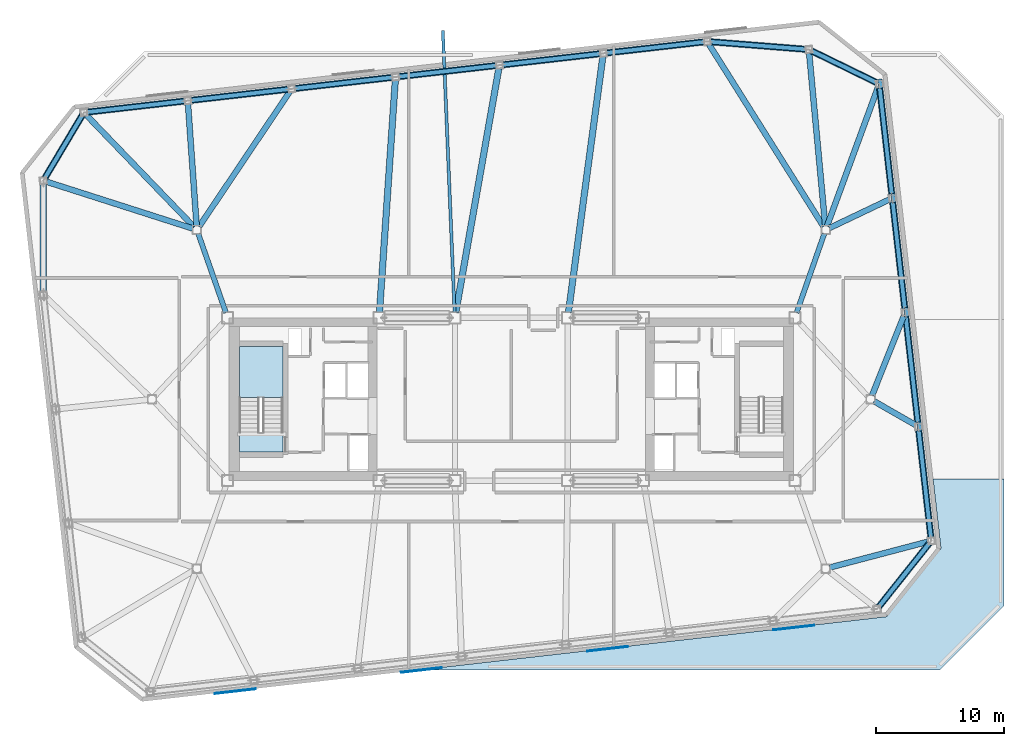
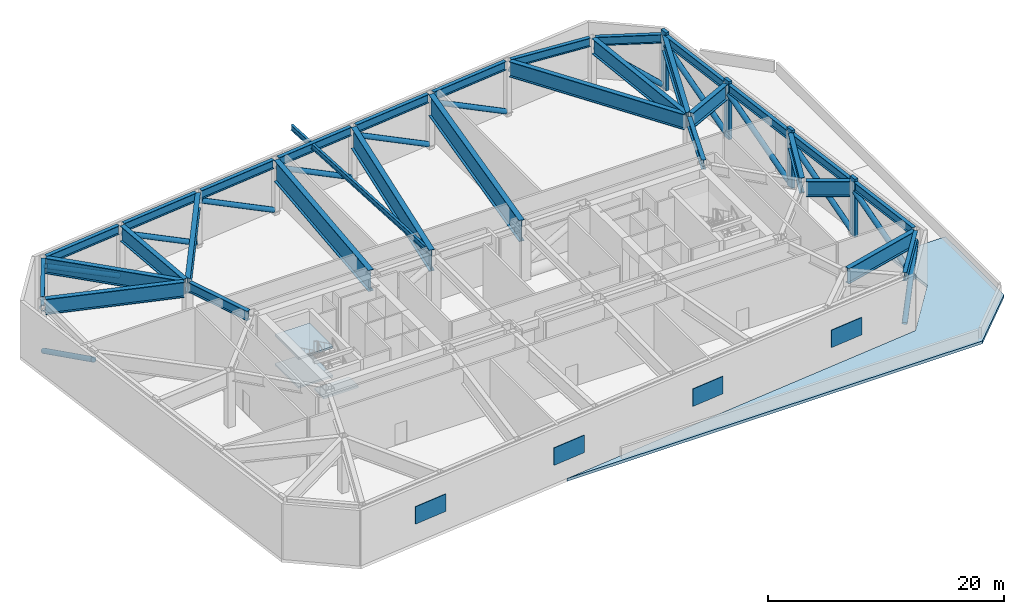
# One storey, part 4 of 13: 31 beams, 19 members, 4 plates, 4 slabs, 1 element without a shape of its own.
"""IFC4 building model written with IfcOpenShell, lengths in metres."""

from ifc_helpers import new_model, si_unit, direction, frame, origin, origin_2d, place, context, subcontext, project, spatial, polyline, rectangle, hollow_circle, i_section, outline, extrude, material, layer, layer_set, material_profile, profile_set, type_object, element, aggregate, save


model = new_model("IFC4")

# Units and contexts
model_context = context("Model", 3, precision=1e-05, world=origin(), true_north=direction((0.0, 1.0)))
body_context = subcontext(model_context, "Body", "Model", "MODEL_VIEW")
ifc_project = project(units=[si_unit("LENGTHUNIT", "METRE"), si_unit("AREAUNIT", "SQUARE_METRE"), si_unit("VOLUMEUNIT", "CUBIC_METRE"), si_unit("PLANEANGLEUNIT", "RADIAN"), si_unit("MASSUNIT", "GRAM", prefix="KILO")], contexts=[model_context])

# Site, building, storey
site_placement = place(None, origin())
site = spatial("IfcSite", under=ifc_project, at=site_placement, CompositionType="ELEMENT")
building_placement = place(site_placement, origin())
building = spatial("IfcBuilding", under=site, at=building_placement, Name="Tavrogorsk Clinical Tower", CompositionType="ELEMENT")
storey_placement = place(building_placement, frame((0.0, 0.0, 208.199951171875)))
storey = spatial("IfcBuildingStorey", under=building, at=storey_placement, Name="L48", CompositionType="ELEMENT", Elevation=208.199951171875)

# Members
ifc_material_1 = material(Name="Structural steel S440", Category="steel")
ifc_material_profile_1 = material_profile(ifc_material_1, hollow_circle(Radius=0.25390625, WallThickness=0.02001953125, at=origin_2d()), Name="CHS-508x20")
ifc_profile_set_1 = profile_set([ifc_material_profile_1], Name="Structural steel S440")
member_type_1 = type_object("IfcMemberType", Name="ExoBrace_CHS508", PredefinedType="BRACE", material=ifc_profile_set_1)
member_1_placement = place(storey_placement, frame((28.64306640625, -16.176513671875, 0.4912109375), z_axis=(0.520971346372, 0.654942753806, 0.547392770775), x_axis=(-0.782604456341, 0.62251928879, 0.0)))
element("IfcMember", 1, at=member_1_placement, inside=storey, type_object=member_type_1, Name="L48 Exoskeleton Belt Diagonal S8-E1", PredefinedType="BRACE", context=body_context, shape_type="SweptSolid", body=[
    extrude(hollow_circle(Radius=0.25390625, WallThickness=0.02001953125, at=origin_2d()), origin(), (0.0, 0.0, 1.0), 7.595458984375),
])
for number, where, z_axis, x_axis, name in (
    (2, (32.708251953125, -10.80322265625, 0.464599609375), (-0.10142650463, 0.890262134419, 0.444011256816), (-0.993572615499, -0.113196544692, 0.0), "L48 Exoskeleton Belt Diagonal E1-E2"),
    (3, (31.69384765625, -1.90087890625, 0.464599609375), (-0.10142650463, 0.890262134419, 0.444011256816), (-0.993572615499, -0.113196544692, 0.0), "L48 Exoskeleton Belt Diagonal E2-E3"),
):
    element("IfcMember", number, at=place(storey_placement, frame(where, z_axis=z_axis, x_axis=x_axis)), inside=storey, type_object=member_type_1, Name=name, PredefinedType="BRACE", context=body_context, shape_type="SweptSolid", body=[
        extrude(hollow_circle(Radius=0.25390625, WallThickness=0.02001953125, at=origin_2d()), origin(), (0.0, 0.0, 1.0), 9.48388671875),
    ])
for number, where, z_axis, x_axis, name in (
    (4, (30.6796875, 7.001708984375, 0.464599609375), (-0.10142882915, 0.890256794327, 0.444021432784), (-0.993572247352, -0.113199776027, 0.0), "L48 Exoskeleton Belt Diagonal E3-E4"),
    (5, (29.665283203125, 15.904052734375, 0.464599609375), (-0.10142882915, 0.890256794327, 0.444021432784), (-0.993572247352, -0.113199776027, 0.0), "L48 Exoskeleton Belt Diagonal E4-E5"),
):
    element("IfcMember", number, at=place(storey_placement, frame(where, z_axis=z_axis, x_axis=x_axis)), inside=storey, type_object=member_type_1, Name=name, PredefinedType="BRACE", context=body_context, shape_type="SweptSolid", body=[
        extrude(hollow_circle(Radius=0.25390625, WallThickness=0.02001953125, at=origin_2d()), origin(), (0.0, 0.0, 1.0), 9.483642578125),
    ])
member_2_placement = place(storey_placement, frame((28.48974609375, 24.668212890625, 0.501708984375), z_axis=(-0.726992637797, 0.354490036877, 0.588063362526), x_axis=(-0.438283287501, -0.898836892822, 0.0)))
element("IfcMember", 6, at=member_2_placement, inside=storey, type_object=member_type_1, Name="L48 Exoskeleton Belt Diagonal E5-N1", PredefinedType="BRACE", context=body_context, shape_type="SweptSolid", body=[
    extrude(hollow_circle(Radius=0.25390625, WallThickness=0.02001953125, at=origin_2d()), origin(), (0.0, 0.0, 1.0), 7.034423828125),
])
member_3_placement = place(storey_placement, frame((22.963623046875, 27.271240234375, 0.475830078125), z_axis=(-0.87020522221, 0.06884858964, 0.487855247941), x_axis=(-0.078871181048, -0.996884816215, 0.0)))
element("IfcMember", 7, at=member_3_placement, inside=storey, type_object=member_type_1, Name="L48 Exoskeleton Belt Diagonal N1-N2", PredefinedType="BRACE", context=body_context, shape_type="SweptSolid", body=[
    extrude(hollow_circle(Radius=0.25390625, WallThickness=0.02001953125, at=origin_2d()), origin(), (0.0, 0.0, 1.0), 8.5849609375),
])
for number, where, z_axis, x_axis, name in (
    (8, (15.04345703125, 27.8544921875, 0.473388671875), (-0.872460601044, -0.099425630153, 0.478463210388), (0.113227160554, -0.993569126993, 0.0), "L48 Exoskeleton Belt Diagonal N2-N3"),
    (9, (6.947265625, 26.931884765625, 0.473388671875), (-0.872463017267, -0.099398047308, 0.478464535461), (0.113195841937, -0.993572695563, 0.0), "L48 Exoskeleton Belt Diagonal N3-N4"),
    (10, (-1.14892578125, 26.009521484375, 0.473388671875), (-0.872463017267, -0.099398047308, 0.478464535461), (0.113195841937, -0.993572695563, 0.0), "L48 Exoskeleton Belt Diagonal N4-N5"),
    (11, (-9.2451171875, 25.087158203125, 0.473388671875), (-0.872463017267, -0.099398047308, 0.478464535461), (0.113195841937, -0.993572695563, 0.0), "L48 Exoskeleton Belt Diagonal N5-N6"),
    (12, (-17.34130859375, 24.16455078125, 0.473388671875), (-0.872463017267, -0.099398047308, 0.478464535461), (0.113195841937, -0.993572695563, 0.0), "L48 Exoskeleton Belt Diagonal N6-N7"),
    (13, (-25.4375, 23.2421875, 0.473388671875), (-0.872463017267, -0.099398047308, 0.478464535461), (0.113195841937, -0.993572695563, 0.0), "L48 Exoskeleton Belt Diagonal N7-N8"),
):
    element("IfcMember", number, at=place(storey_placement, frame(where, z_axis=z_axis, x_axis=x_axis)), inside=storey, type_object=member_type_1, Name=name, PredefinedType="BRACE", context=body_context, shape_type="SweptSolid", body=[
        extrude(hollow_circle(Radius=0.25390625, WallThickness=0.02001953125, at=origin_2d()), origin(), (0.0, 0.0, 1.0), 8.763671875),
    ])
member_4_placement = place(storey_placement, frame((-33.415771484375, 22.165283203125, 0.50048828125), z_axis=(-0.415346365459, -0.697978711237, 0.583363621903), x_axis=(0.859356273266, -0.511377351471, 0.0)))
element("IfcMember", 14, at=member_4_placement, inside=storey, type_object=member_type_1, Name="L48 Exoskeleton Belt Diagonal N8-W1", PredefinedType="BRACE", context=body_context, shape_type="SweptSolid", body=[
    extrude(hollow_circle(Radius=0.25390625, WallThickness=0.02001953125, at=origin_2d()), origin(), (0.0, 0.0, 1.0), 7.09521484375),
])
member_5_placement = place(storey_placement, frame((-36.469970703125, 16.802001953125, 0.465087890625), z_axis=(0.0, -0.894877113795, 0.446312616006), x_axis=(1.0, 0.0, 0.0)))
element("IfcMember", 15, at=member_5_placement, inside=storey, type_object=member_type_1, Name="L48 Exoskeleton Belt Diagonal W1-W2", PredefinedType="BRACE", context=body_context, shape_type="SweptSolid", body=[
    extrude(hollow_circle(Radius=0.25390625, WallThickness=0.02001953125, at=origin_2d()), origin(), (0.0, 0.0, 1.0), 9.43212890625),
])
ifc_material_2 = material(Name="Precast concrete B45 with limestone cladding", Category="masonry")
ifc_material_profile_2 = material_profile(ifc_material_2, rectangle(XDim=0.320068359375, YDim=0.719970703125, at=origin_2d()), Name="LIMESTONE-FIN-320x720")
ifc_profile_set_2 = profile_set([ifc_material_profile_2], Name="Precast concrete B45 with limestone cladding")
member_type_2 = type_object("IfcMemberType", Name="LimestonePleatFin_320x720", PredefinedType="USERDEFINED", material=ifc_profile_set_2)
for number, where, z_axis, x_axis, name in (
    (16, (31.799560546875, -2.121337890625, 0.0), (0.0, 0.0, 1.0), (0.993571855677, 0.113203213768, 0.0), "L48 E Pleated Stone Fin 1"),
    (17, (30.785400390625, 6.781005859375, 0.0), (0.0, 0.0, 1.0), (0.993571855677, 0.113203213768, 0.0), "L48 E Pleated Stone Fin 2"),
    (18, (29.77099609375, 15.683349609375, 0.0), (0.0, 0.0, 1.0), (0.993571855677, 0.113203213768, 0.0), "L48 E Pleated Stone Fin 3"),
    (19, (28.756591796875, 24.585693359375, 0.0), (0.0, 0.0, 1.0), (0.993571855677, 0.113203213768, 0.0), "L48 E Pleated Stone Fin 4"),
):
    element("IfcMember", number, at=place(storey_placement, frame(where, z_axis=z_axis, x_axis=x_axis)), inside=storey, type_object=member_type_2, Name=name, ObjectType="FIN", PredefinedType="USERDEFINED", context=body_context, shape_type="SweptSolid", body=[
        extrude(rectangle(XDim=0.320068359375, YDim=0.719970703125, at=origin_2d()), origin(), (0.0, 0.0, 1.0), 6.0),
    ])

# Beams
ifc_material_3 = material(Name="Structural steel S390", Category="steel")
ifc_material_profile_3 = material_profile(ifc_material_3, i_section(OverallWidth=0.239990234375, OverallDepth=0.550048828125, WebThickness=0.013916015625, FlangeThickness=0.02197265625, at=origin_2d()), Name="B-550x240x14x22")
ifc_profile_set_3 = profile_set([ifc_material_profile_3], Name="Structural steel S390")
beam_type_1 = type_object("IfcBeamType", Name="SpandrelBeam_B550", PredefinedType="SPANDREL", material=ifc_profile_set_3)
beam_1_placement = place(storey_placement, frame((-4.4169921875, 6.759765625, 5.445068359375), z_axis=(-0.041606534226, 0.99913407324, 0.0), x_axis=(-0.99913407324, -0.041606534226, 0.0)))
element("IfcBeam", 20, at=beam_1_placement, inside=storey, type_object=beam_type_1, Name="L49 Spiral Terrace Cantilever Beam 2", PredefinedType="SPANDREL", context=body_context, shape_type="SweptSolid", body=[
    extrude(i_section(OverallWidth=0.239990234375, OverallDepth=0.550048828125, WebThickness=0.013916015625, FlangeThickness=0.02197265625, at=origin_2d()), origin(), (0.0, 0.0, 1.0), 21.99267578125),
])
ifc_material_4 = material(Name="Structural steel S440", Category="steel")
ifc_material_profile_4 = material_profile(ifc_material_4, i_section(OverallWidth=0.39990234375, OverallDepth=1.0, WebThickness=0.028076171875, FlangeThickness=0.044921875, at=origin_2d()), Name="DK-1000x400x28x45")
ifc_profile_set_4 = profile_set([ifc_material_profile_4], Name="Structural steel S440")
beam_type_2 = type_object("IfcBeamType", Name="TransferGirder_DK1000", PredefinedType="USERDEFINED", material=ifc_profile_set_4)
for number, where, z_axis, x_axis, name in (
    (21, (-24.3974609375, 12.907470703125, 5.239990234375), (0.33065312634, -0.94375235631, 0.0), (0.94375235631, 0.33065312634, 0.0), "L48 Spine Link Girder OPG-3"),
    (22, (24.3974609375, 12.907470703125, 5.239990234375), (-0.33065312634, -0.94375235631, 0.0), (0.94375235631, -0.33065312634, 0.0), "L48 Spine Link Girder OPG-4"),
):
    element("IfcBeam", number, at=place(storey_placement, frame(where, z_axis=z_axis, x_axis=x_axis)), inside=storey, type_object=beam_type_2, Name=name, ObjectType="GIRDER", PredefinedType="USERDEFINED", context=body_context, shape_type="SweptSolid", body=[
        extrude(i_section(OverallWidth=0.39990234375, OverallDepth=1.0, WebThickness=0.028076171875, FlangeThickness=0.044921875, at=origin_2d()), origin(), (0.0, 0.0, 1.0), 6.5380859375),
    ])
ifc_material_5 = material(Name="Structural steel S440", Category="steel")
ifc_material_profile_5 = material_profile(ifc_material_5, i_section(OverallWidth=0.449951171875, OverallDepth=1.60009765625, WebThickness=0.031982421875, FlangeThickness=0.050048828125, at=origin_2d()), Name="DK-1600x450x32x50")
ifc_profile_set_5 = profile_set([ifc_material_profile_5], Name="Structural steel S440")
beam_type_3 = type_object("IfcBeamType", Name="TransferGirder_DK1600", PredefinedType="USERDEFINED", material=ifc_profile_set_5)
beam_2_placement = place(storey_placement, frame((24.47119140625, 13.508544921875, 4.93994140625), z_axis=(-0.092940409745, 0.99567167291, 0.0), x_axis=(-0.99567167291, -0.092940409745, 0.0)))
element("IfcBeam", 23, at=beam_2_placement, inside=storey, type_object=beam_type_3, Name="L48 Radial Floor Beam N1", ObjectType="GIRDER", PredefinedType="USERDEFINED", context=body_context, shape_type="SweptSolid", body=[
    extrude(i_section(OverallWidth=0.449951171875, OverallDepth=1.60009765625, WebThickness=0.031982421875, FlangeThickness=0.050048828125, at=origin_2d()), origin(), (0.0, 0.0, 1.0), 13.546630859375),
])
beam_3_placement = place(storey_placement, frame((24.3349609375, 13.46240234375, 4.93994140625), z_axis=(-0.53234144439, 0.84652973166, 0.0), x_axis=(-0.84652973166, -0.53234144439, 0.0)))
element("IfcBeam", 24, at=beam_3_placement, inside=storey, type_object=beam_type_3, Name="L48 Radial Floor Beam N2", ObjectType="GIRDER", PredefinedType="USERDEFINED", context=body_context, shape_type="SweptSolid", body=[
    extrude(i_section(OverallWidth=0.449951171875, OverallDepth=1.60009765625, WebThickness=0.031982421875, FlangeThickness=0.050048828125, at=origin_2d()), origin(), (0.0, 0.0, 1.0), 16.7734375),
])
beam_4_placement = place(storey_placement, frame((-24.3271484375, 13.457275390625, 4.93994140625), z_axis=(0.557666552953, 0.830065067159, 0.0), x_axis=(-0.830065067159, 0.557666552953, 0.0)))
element("IfcBeam", 25, at=beam_4_placement, inside=storey, type_object=beam_type_3, Name="L48 Radial Floor Beam N6", ObjectType="GIRDER", PredefinedType="USERDEFINED", context=body_context, shape_type="SweptSolid", body=[
    extrude(i_section(OverallWidth=0.449951171875, OverallDepth=1.60009765625, WebThickness=0.031982421875, FlangeThickness=0.050048828125, at=origin_2d()), origin(), (0.0, 0.0, 1.0), 12.67236328125),
])
beam_5_placement = place(storey_placement, frame((-24.52197265625, 13.50927734375, 4.93994140625), z_axis=(-0.070563956086, 0.997507257167, 0.0), x_axis=(-0.997507257167, -0.070563956086, 0.0)))
element("IfcBeam", 26, at=beam_5_placement, inside=storey, type_object=beam_type_3, Name="L48 Radial Floor Beam N7", ObjectType="GIRDER", PredefinedType="USERDEFINED", context=body_context, shape_type="SweptSolid", body=[
    extrude(i_section(OverallWidth=0.449951171875, OverallDepth=1.60009765625, WebThickness=0.031982421875, FlangeThickness=0.050048828125, at=origin_2d()), origin(), (0.0, 0.0, 1.0), 9.52490234375),
])
beam_6_placement = place(storey_placement, frame((-24.715087890625, 13.42333984375, 4.93994140625), z_axis=(-0.69371826835, 0.720246460704, 0.0), x_axis=(-0.720246460704, -0.69371826835, 0.0)))
element("IfcBeam", 27, at=beam_6_placement, inside=storey, type_object=beam_type_3, Name="L48 Radial Floor Beam N8", ObjectType="GIRDER", PredefinedType="USERDEFINED", context=body_context, shape_type="SweptSolid", body=[
    extrude(i_section(OverallWidth=0.449951171875, OverallDepth=1.60009765625, WebThickness=0.031982421875, FlangeThickness=0.050048828125, at=origin_2d()), origin(), (0.0, 0.0, 1.0), 12.129638671875),
])
beam_7_placement = place(storey_placement, frame((24.7998046875, -13.12109375, 4.93994140625), z_axis=(0.967072149487, 0.254502372652, 0.0), x_axis=(-0.254502372652, 0.967072149487, 0.0)))
element("IfcBeam", 28, at=beam_7_placement, inside=storey, type_object=beam_type_3, Name="L48 Radial Floor Beam E1", ObjectType="GIRDER", PredefinedType="USERDEFINED", context=body_context, shape_type="SweptSolid", body=[
    extrude(i_section(OverallWidth=0.449951171875, OverallDepth=1.60009765625, WebThickness=0.031982421875, FlangeThickness=0.050048828125, at=origin_2d()), origin(), (0.0, 0.0, 1.0), 7.94677734375),
])
beam_8_placement = place(storey_placement, frame((28.26904296875, -0.154052734375, 4.93994140625), z_axis=(0.867782232017, -0.49694466271, 0.0), x_axis=(0.49694466271, 0.867782232017, 0.0)))
element("IfcBeam", 29, at=beam_8_placement, inside=storey, type_object=beam_type_3, Name="L48 Radial Floor Beam E2", ObjectType="GIRDER", PredefinedType="USERDEFINED", context=body_context, shape_type="SweptSolid", body=[
    extrude(i_section(OverallWidth=0.449951171875, OverallDepth=1.60009765625, WebThickness=0.031982421875, FlangeThickness=0.050048828125, at=origin_2d()), origin(), (0.0, 0.0, 1.0), 3.718994140625),
])
beam_9_placement = place(storey_placement, frame((28.114990234375, 0.287841796875, 4.93994140625), z_axis=(0.371052625529, 0.928611839838, 0.0), x_axis=(-0.928611839838, 0.371052625529, 0.0)))
element("IfcBeam", 30, at=beam_9_placement, inside=storey, type_object=beam_type_3, Name="L48 Radial Floor Beam E3", ObjectType="GIRDER", PredefinedType="USERDEFINED", context=body_context, shape_type="SweptSolid", body=[
    extrude(i_section(OverallWidth=0.449951171875, OverallDepth=1.60009765625, WebThickness=0.031982421875, FlangeThickness=0.050048828125, at=origin_2d()), origin(), (0.0, 0.0, 1.0), 6.724365234375),
])
beam_10_placement = place(storey_placement, frame((24.77978515625, 13.333251953125, 4.93994140625), z_axis=(0.90270896244, 0.43025170439, 0.0), x_axis=(-0.43025170439, 0.90270896244, 0.0)))
element("IfcBeam", 31, at=beam_10_placement, inside=storey, type_object=beam_type_3, Name="L48 Radial Floor Beam E4", ObjectType="GIRDER", PredefinedType="USERDEFINED", context=body_context, shape_type="SweptSolid", body=[
    extrude(i_section(OverallWidth=0.449951171875, OverallDepth=1.60009765625, WebThickness=0.031982421875, FlangeThickness=0.050048828125, at=origin_2d()), origin(), (0.0, 0.0, 1.0), 5.182861328125),
])
beam_11_placement = place(storey_placement, frame((24.60693359375, 13.490966796875, 4.93994140625), z_axis=(0.34467380093, 0.938722520744, 0.0), x_axis=(-0.938722520744, 0.34467380093, 0.0)))
element("IfcBeam", 32, at=beam_11_placement, inside=storey, type_object=beam_type_3, Name="L48 Radial Floor Beam E5", ObjectType="GIRDER", PredefinedType="USERDEFINED", context=body_context, shape_type="SweptSolid", body=[
    extrude(i_section(OverallWidth=0.449951171875, OverallDepth=1.60009765625, WebThickness=0.031982421875, FlangeThickness=0.050048828125, at=origin_2d()), origin(), (0.0, 0.0, 1.0), 11.55126953125),
])
beam_12_placement = place(storey_placement, frame((-24.795166015625, 13.29443359375, 4.93994140625), z_axis=(-0.952367912824, 0.304951403709, 0.0), x_axis=(-0.304951403709, -0.952367912824, 0.0)))
element("IfcBeam", 33, at=beam_12_placement, inside=storey, type_object=beam_type_3, Name="L48 Radial Floor Beam W1", ObjectType="GIRDER", PredefinedType="USERDEFINED", context=body_context, shape_type="SweptSolid", body=[
    extrude(i_section(OverallWidth=0.449951171875, OverallDepth=1.60009765625, WebThickness=0.031982421875, FlangeThickness=0.050048828125, at=origin_2d()), origin(), (0.0, 0.0, 1.0), 12.000732421875),
])
ifc_material_6 = material(Name="Structural steel S440", Category="steel")
ifc_material_profile_6 = material_profile(ifc_material_6, i_section(OverallWidth=0.5, OverallDepth=2.199951171875, WebThickness=0.035888671875, FlangeThickness=0.054931640625, at=origin_2d()), Name="DK-2200x500x36x55")
ifc_profile_set_6 = profile_set([ifc_material_profile_6], Name="Structural steel S440")
beam_type_4 = type_object("IfcBeamType", Name="TransferGirder_DK2200", PredefinedType="USERDEFINED", material=ifc_profile_set_6)
beam_13_placement = place(storey_placement, frame((4.45458984375, 6.75634765625, 4.64013671875), z_axis=(0.13333250104, 0.991071361793, 0.0), x_axis=(-0.991071361793, 0.13333250104, 0.0)))
element("IfcBeam", 34, at=beam_13_placement, inside=storey, type_object=beam_type_4, Name="L48 Radial Floor Beam N3", ObjectType="GIRDER", PredefinedType="USERDEFINED", context=body_context, shape_type="SweptSolid", body=[
    extrude(i_section(OverallWidth=0.5, OverallDepth=2.199951171875, WebThickness=0.035888671875, FlangeThickness=0.054931640625, at=origin_2d()), origin(), (0.0, 0.0, 1.0), 20.125244140625),
])
beam_14_placement = place(storey_placement, frame((-4.32861328125, 6.753662109375, 4.64013671875), z_axis=(0.173888409009, 0.984765363532, 0.0), x_axis=(-0.984765363532, 0.173888409009, 0.0)))
element("IfcBeam", 35, at=beam_14_placement, inside=storey, type_object=beam_type_4, Name="L48 Radial Floor Beam N4", ObjectType="GIRDER", PredefinedType="USERDEFINED", context=body_context, shape_type="SweptSolid", body=[
    extrude(i_section(OverallWidth=0.5, OverallDepth=2.199951171875, WebThickness=0.035888671875, FlangeThickness=0.054931640625, at=origin_2d()), origin(), (0.0, 0.0, 1.0), 19.322021484375),
])
beam_15_placement = place(storey_placement, frame((-10.272216796875, 6.759033203125, 4.64013671875), z_axis=(0.068067126101, 0.997680743697, 0.0), x_axis=(-0.997680743697, 0.068067126101, 0.0)))
element("IfcBeam", 36, at=beam_15_placement, inside=storey, type_object=beam_type_4, Name="L48 Radial Floor Beam N5", ObjectType="GIRDER", PredefinedType="USERDEFINED", context=body_context, shape_type="SweptSolid", body=[
    extrude(i_section(OverallWidth=0.5, OverallDepth=2.199951171875, WebThickness=0.035888671875, FlangeThickness=0.054931640625, at=origin_2d()), origin(), (0.0, 0.0, 1.0), 18.13818359375),
])
ifc_material_7 = material(Name="Structural steel S440", Category="steel")
ifc_material_profile_7 = material_profile(ifc_material_7, i_section(OverallWidth=0.360107421875, OverallDepth=0.89990234375, WebThickness=0.02392578125, FlangeThickness=0.0400390625, at=origin_2d()), Name="DK-900x360x24x40")
ifc_profile_set_7 = profile_set([ifc_material_profile_7], Name="Structural steel S440")
beam_type_5 = type_object("IfcBeamType", Name="TransferGirder_DK900", PredefinedType="USERDEFINED", material=ifc_profile_set_7)
beam_16_placement = place(storey_placement, frame((28.669189453125, -16.1435546875, 5.2900390625), z_axis=(0.622513813188, 0.782608811853, 0.0), x_axis=(-0.782608811853, 0.622513813188, 0.0)))
element("IfcBeam", 37, at=beam_16_placement, inside=storey, type_object=beam_type_5, Name="L48 Perimeter Spandrel S8-E1", ObjectType="GIRDER", PredefinedType="USERDEFINED", context=body_context, shape_type="SweptSolid", body=[
    extrude(i_section(OverallWidth=0.360107421875, OverallDepth=0.89990234375, WebThickness=0.02392578125, FlangeThickness=0.0400390625, at=origin_2d()), origin(), (0.0, 0.0, 1.0), 6.272216796875),
])
for number, where, z_axis, x_axis, name in (
    (38, (32.705078125, -10.776611328125, 5.2900390625), (-0.113191877531, 0.993573147212, 0.0), (-0.993573147212, -0.113191877531, 0.0), "L48 Perimeter Spandrel E1-E2"),
    (39, (31.69091796875, -1.874267578125, 5.2900390625), (-0.113191877531, 0.993573147212, 0.0), (-0.993573147212, -0.113191877531, 0.0), "L48 Perimeter Spandrel E2-E3"),
):
    element("IfcBeam", number, at=place(storey_placement, frame(where, z_axis=z_axis, x_axis=x_axis)), inside=storey, type_object=beam_type_5, Name=name, ObjectType="GIRDER", PredefinedType="USERDEFINED", context=body_context, shape_type="SweptSolid", body=[
        extrude(i_section(OverallWidth=0.360107421875, OverallDepth=0.89990234375, WebThickness=0.02392578125, FlangeThickness=0.0400390625, at=origin_2d()), origin(), (0.0, 0.0, 1.0), 8.444091796875),
    ])
for number, where, z_axis, x_axis, name in (
    (40, (30.676513671875, 7.0283203125, 5.2900390625), (-0.113195129234, 0.99357277676, 0.0), (-0.99357277676, -0.113195129234, 0.0), "L48 Perimeter Spandrel E3-E4"),
    (41, (29.662353515625, 15.9306640625, 5.2900390625), (-0.113223671813, 0.993569524563, 0.0), (-0.993569524563, -0.113223671813, 0.0), "L48 Perimeter Spandrel E4-E5"),
):
    element("IfcBeam", number, at=place(storey_placement, frame(where, z_axis=z_axis, x_axis=x_axis)), inside=storey, type_object=beam_type_5, Name=name, ObjectType="GIRDER", PredefinedType="USERDEFINED", context=body_context, shape_type="SweptSolid", body=[
        extrude(i_section(OverallWidth=0.360107421875, OverallDepth=0.89990234375, WebThickness=0.02392578125, FlangeThickness=0.0400390625, at=origin_2d()), origin(), (0.0, 0.0, 1.0), 8.44384765625),
    ])
beam_17_placement = place(storey_placement, frame((28.4453125, 24.689697265625, 5.2900390625), z_axis=(-0.898811248667, 0.438335874951, 0.0), x_axis=(-0.438335874951, -0.898811248667, 0.0)))
element("IfcBeam", 42, at=beam_17_placement, inside=storey, type_object=beam_type_5, Name="L48 Perimeter Spandrel E5-N1", ObjectType="GIRDER", PredefinedType="USERDEFINED", context=body_context, shape_type="SweptSolid", body=[
    extrude(i_section(OverallWidth=0.360107421875, OverallDepth=0.89990234375, WebThickness=0.02392578125, FlangeThickness=0.0400390625, at=origin_2d()), origin(), (0.0, 0.0, 1.0), 5.5908203125),
])
beam_18_placement = place(storey_placement, frame((22.930908203125, 27.273681640625, 5.2900390625), z_axis=(-0.996881705424, 0.078910489738, 0.0), x_axis=(-0.078910489738, -0.996881705424, 0.0)))
element("IfcBeam", 43, at=beam_18_placement, inside=storey, type_object=beam_type_5, Name="L48 Perimeter Spandrel N1-N2", ObjectType="GIRDER", PredefinedType="USERDEFINED", context=body_context, shape_type="SweptSolid", body=[
    extrude(i_section(OverallWidth=0.360107421875, OverallDepth=0.89990234375, WebThickness=0.02392578125, FlangeThickness=0.0400390625, at=origin_2d()), origin(), (0.0, 0.0, 1.0), 7.428466796875),
])
for number, where, z_axis, x_axis, name in (
    (44, (15.01220703125, 27.850830078125, 5.2900390625), (-0.993572099834, -0.113201070804, 0.0), (0.113201070804, -0.993572099834, 0.0), "L48 Perimeter Spandrel N2-N3"),
    (45, (6.916015625, 26.928466796875, 5.2900390625), (-0.993572099834, -0.113201070804, 0.0), (0.113201070804, -0.993572099834, 0.0), "L48 Perimeter Spandrel N3-N4"),
    (46, (-1.18017578125, 26.006103515625, 5.2900390625), (-0.993568501687, -0.113232647478, 0.0), (0.113232647478, -0.993568501687, 0.0), "L48 Perimeter Spandrel N4-N5"),
    (47, (-9.2763671875, 25.08349609375, 5.2900390625), (-0.993572099834, -0.113201070804, 0.0), (0.113201070804, -0.993572099834, 0.0), "L48 Perimeter Spandrel N5-N6"),
    (48, (-17.37255859375, 24.1611328125, 5.2900390625), (-0.993572099834, -0.113201070804, 0.0), (0.113201070804, -0.993572099834, 0.0), "L48 Perimeter Spandrel N6-N7"),
    (49, (-25.46875, 23.238525390625, 5.2900390625), (-0.993572099834, -0.113201070804, 0.0), (0.113201070804, -0.993572099834, 0.0), "L48 Perimeter Spandrel N7-N8"),
):
    element("IfcBeam", number, at=place(storey_placement, frame(where, z_axis=z_axis, x_axis=x_axis)), inside=storey, type_object=beam_type_5, Name=name, ObjectType="GIRDER", PredefinedType="USERDEFINED", context=body_context, shape_type="SweptSolid", body=[
        extrude(i_section(OverallWidth=0.360107421875, OverallDepth=0.89990234375, WebThickness=0.02392578125, FlangeThickness=0.0400390625, at=origin_2d()), origin(), (0.0, 0.0, 1.0), 7.632568359375),
    ])
beam_19_placement = place(storey_placement, frame((-33.4404296875, 22.123779296875, 5.2900390625), z_axis=(-0.51140659222, -0.859338872293, 0.0), x_axis=(0.859338872293, -0.51140659222, 0.0)))
element("IfcBeam", 50, at=beam_19_placement, inside=storey, type_object=beam_type_5, Name="L48 Perimeter Spandrel N8-W1", ObjectType="GIRDER", PredefinedType="USERDEFINED", context=body_context, shape_type="SweptSolid", body=[
    extrude(i_section(OverallWidth=0.360107421875, OverallDepth=0.89990234375, WebThickness=0.02392578125, FlangeThickness=0.0400390625, at=origin_2d()), origin(), (0.0, 0.0, 1.0), 5.666259765625),
])

# Plates
ifc_material_8 = material(Name="Powder-coated aluminium acoustic louvre", Category="aluminium")
ifc_layer_1 = layer(ifc_material_8, 0.074951171875)
ifc_layer_set_1 = layer_set([ifc_layer_1], Name="Powder-coated aluminium acoustic louvre")
plate_type = type_object("IfcPlateType", Name="AcousticPlantLouvre_75", PredefinedType="SHEET", material=ifc_layer_set_1)
for number, where, z_axis, x_axis, name in (
    (51, (-21.5068359375, -22.758544921875, 1.97021484375), (0.0, 0.0, 1.0), (0.993571986827, 0.113202062666, 0.0), "L48 Plant Acoustic Louvre S-1-1"),
    (52, (-7.000732421875, -21.105712890625, 1.97021484375), (0.0, 0.0, 1.0), (0.993571986827, 0.113202062666, 0.0), "L48 Plant Acoustic Louvre S-1-2"),
    (53, (7.50537109375, -19.452880859375, 1.97021484375), (0.0, 0.0, 1.0), (0.993571986827, 0.113202062666, 0.0), "L48 Plant Acoustic Louvre S-1-3"),
    (54, (22.011474609375, -17.80029296875, 1.97021484375), (0.0, 0.0, 1.0), (0.993571986827, 0.113202062666, 0.0), "L48 Plant Acoustic Louvre S-1-4"),
):
    element("IfcPlate", number, at=place(storey_placement, frame(where, z_axis=z_axis, x_axis=x_axis)), inside=storey, type_object=plate_type, Name=name, PredefinedType="SHEET", context=body_context, shape_type="SweptSolid", body=[
        extrude(rectangle(XDim=3.199951171875, YDim=0.074951171875, at=origin_2d()), origin(), (0.0, 0.0, 1.0), 1.800048828125),
    ])

# Slab
ifc_material_9 = material(Name="Concrete B60", Category="concrete")
ifc_layer_2 = layer(ifc_material_9, 0.300048828125)
ifc_layer_set_2 = layer_set([ifc_layer_2], Name="Concrete B60")
slab_type_1 = type_object("IfcSlabType", Name="CrownTopRoofSlab_300", PredefinedType="ROOF", material=ifc_layer_set_2)
slab_1_placement = place(storey_placement, frame((0.0, 0.0, -0.300048828125)))
element("IfcSlab", 55, at=slab_1_placement, inside=storey, type_object=slab_type_1, Name="L48 Setback Roof Slab 1", PredefinedType="ROOF", context=body_context, shape_type="SweptSolid", body=[
    extrude(outline(polyline([(38.39990234375, -16.10009765625), (33.39990234375, -21.10009765625), (-7.215087890625, -21.10009765625), (29.26123046875, -16.944091796875), (33.487060546875, -11.631591796875), (32.8681640625, -6.199951171875), (38.39990234375, -6.199951171875), (38.39990234375, -16.10009765625)])), origin(), (0.0, 0.0, 1.0), 0.300048828125),
])

# Stair, slabs
ifc_material_10 = material(Name="Concrete B60", Category="concrete")
stair_type = type_object("IfcStairType", Name="CoreStairAssembly", PredefinedType="HALF_TURN_STAIR", material=ifc_material_10)
stair_placement = place(storey_placement, origin())
stair = element("IfcStair", 56, at=stair_placement, inside=storey, type_object=stair_type, Name="L48 ST-W", PredefinedType="HALF_TURN_STAIR")
ifc_material_11 = material(Name="Concrete B60", Category="concrete")
ifc_layer_3 = layer(ifc_material_11, 0.199951171875)
ifc_layer_set_3 = layer_set([ifc_layer_3], Name="Concrete B60")
slab_type_2 = type_object("IfcSlabType", Name="StairLanding_200", PredefinedType="LANDING", material=ifc_layer_set_3)
slab_2_placement = place(storey_placement, frame((0.0, 0.0, 1.300048828125)))
slab_2 = element("IfcSlab", 57, at=slab_2_placement, type_object=slab_type_2, Name="ST-W landing 1", PredefinedType="LANDING", context=body_context, shape_type="SweptSolid", body=[
    extrude(outline(polyline([(-17.800048828125, 0.14501953125), (-17.800048828125, 4.125), (-21.199951171875, 4.125), (-21.199951171875, 0.14501953125), (-17.800048828125, 0.14501953125)])), origin(), (0.0, 0.0, 1.0), 0.199951171875),
])
slab_3_placement = place(storey_placement, frame((0.0, 0.0, 2.800048828125)))
slab_3 = element("IfcSlab", 58, at=slab_3_placement, type_object=slab_type_2, Name="ST-W landing 2", PredefinedType="LANDING", context=body_context, shape_type="SweptSolid", body=[
    extrude(outline(polyline([(-17.800048828125, -4.125), (-17.800048828125, -2.574951171875), (-21.199951171875, -2.574951171875), (-21.199951171875, -4.125), (-17.800048828125, -4.125)])), origin(), (0.0, 0.0, 1.0), 0.199951171875),
])
slab_4_placement = place(storey_placement, frame((0.0, 0.0, 4.300048828125)))
slab_4 = element("IfcSlab", 59, at=slab_4_placement, type_object=slab_type_2, Name="ST-W landing 3", PredefinedType="LANDING", context=body_context, shape_type="SweptSolid", body=[
    extrude(outline(polyline([(-17.800048828125, 0.14501953125), (-17.800048828125, 4.125), (-21.199951171875, 4.125), (-21.199951171875, 0.14501953125), (-17.800048828125, 0.14501953125)])), origin(), (0.0, 0.0, 1.0), 0.199951171875),
])
aggregate(stair, [slab_2, slab_3, slab_4])

save(model, "model.ifc")
